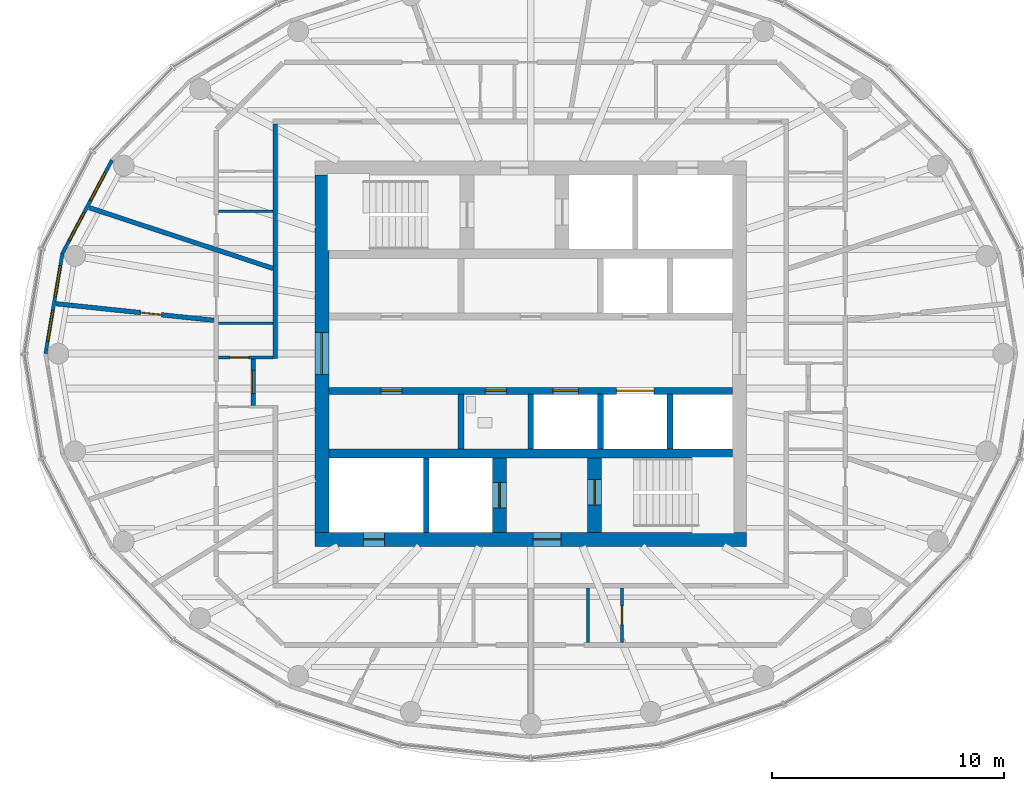
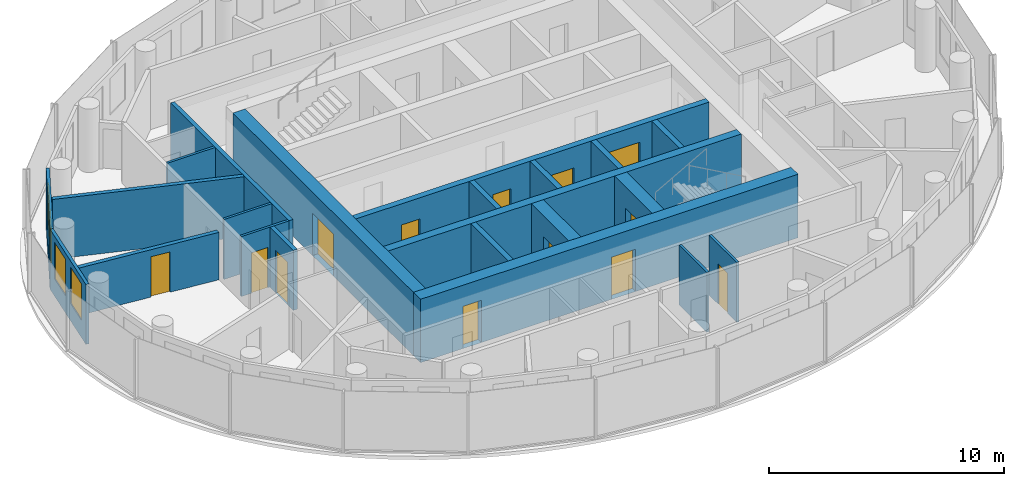
# One storey, part 6 of 12: 22 walls, 13 doors, 4 windows, 17 openings.
"""IFC4 building model written with IfcOpenShell, lengths in metres."""

from ifc_helpers import new_model, si_unit, direction, frame, frame_2d, origin, place, context, subcontext, project, spatial, rectangle, extrude, material, layer, layer_set, type_object, element, fill, save


model = new_model("IFC4")

# Units and contexts
model_context = context("Model", 3, precision=1e-05, world=origin(), true_north=direction((0.0, 1.0)))
body_context = subcontext(model_context, "Body", "Model", "MODEL_VIEW")
ifc_project = project(units=[si_unit("LENGTHUNIT", "METRE"), si_unit("AREAUNIT", "SQUARE_METRE"), si_unit("VOLUMEUNIT", "CUBIC_METRE"), si_unit("PLANEANGLEUNIT", "RADIAN"), si_unit("MASSUNIT", "GRAM", prefix="KILO")], contexts=[model_context])

# Site, building, storey
site_placement = place(None, origin())
site = spatial("IfcSite", under=ifc_project, at=site_placement, CompositionType="ELEMENT")
building_placement = place(site_placement, origin())
building = spatial("IfcBuilding", under=site, at=building_placement, Name="Hankou Lantern Tower", CompositionType="ELEMENT")
storey_placement = place(building_placement, frame((0.0, 0.0, 222.60009765625)))
storey = spatial("IfcBuildingStorey", under=building, at=storey_placement, Name="L60", CompositionType="ELEMENT", Elevation=222.60009765625)

# Wall, openings, doors
ifc_material_1 = material(Name="Concrete C60", Category="concrete")
ifc_layer_1 = layer(ifc_material_1, 0.60009765625)
ifc_layer_set_1 = layer_set([ifc_layer_1], Name="Concrete C60")
wall_type_1 = type_object("IfcWallType", Name="CW3 CORE WALL 600", PredefinedType="SHEAR", material=ifc_layer_set_1)
wall_1_placement = place(storey_placement, frame((9.300048828125, -8.0, 0.0), z_axis=(0.0, 0.0, 1.0), x_axis=(-1.0, 0.0, 0.0)))
wall_1 = element("IfcWall", 1, at=wall_1_placement, inside=storey, type_object=wall_type_1, Name="Core wall south L60", PredefinedType="SHEAR", context=body_context, shape_type="SweptSolid", body=[
    extrude(rectangle(XDim=18.60009765625, YDim=0.60009765625, at=frame_2d((9.300048828125, 0.0))), origin(), (0.0, 0.0, 1.0), 3.2998046875),
])
opening_1_placement = place(wall_1_placement, frame((8.0, 0.0, 0.0)))
opening_1 = element("IfcOpeningElement", 2, at=opening_1_placement, cuts=wall_1, Name="Opening D5", PredefinedType="OPENING", context=body_context, shape_type="SweptSolid", body=[
    extrude(rectangle(XDim=1.199951171875, YDim=2.199951171875, at=frame_2d((0.60009765625, 1.10009765625))), frame((0.0, 0.31005859375, 0.0), z_axis=(0.0, -1.0, 0.0), x_axis=(1.0, 0.0, 0.0)), (0.0, 0.0, 1.0), 0.6201171875),
])
opening_2_placement = place(wall_1_placement, frame((15.60009765625, 0.0, 0.0)))
opening_2 = element("IfcOpeningElement", 3, at=opening_2_placement, cuts=wall_1, Name="Opening D7", PredefinedType="OPENING", context=body_context, shape_type="SweptSolid", body=[
    extrude(rectangle(XDim=0.89990234375, YDim=2.199951171875, at=frame_2d((0.449951171875, 1.10009765625))), frame((0.0, 0.31005859375, 0.0), z_axis=(0.0, -1.0, 0.0), x_axis=(1.0, 0.0, 0.0)), (0.0, 0.0, 1.0), 0.6201171875),
])
ifc_material_2 = material(Name="Steel door leaf", Category="steel")
door_type_1 = type_object("IfcDoorType", Name="D5 STAIR LOBBY DOOR 1200X2200", OperationType="SINGLE_SWING_LEFT", PredefinedType="DOOR", material=ifc_material_2)
door_1_placement = place(opening_1_placement, origin())
door_1 = element("IfcDoor", 4, at=door_1_placement, inside=storey, type_object=door_type_1, Name="Stair B lobby door", OperationType="SINGLE_SWING_LEFT", OverallHeight=2.199951171875, OverallWidth=1.199951171875, PredefinedType="DOOR", context=body_context, shape_type="SweptSolid", body=[
    extrude(rectangle(XDim=1.199951171875, YDim=2.199951171875, at=frame_2d((0.60009765625, 1.10009765625))), frame((0.0, 0.02490234375, 0.0), z_axis=(0.0, -1.0, 0.0), x_axis=(1.0, 0.0, 0.0)), (0.0, 0.0, 1.0), 0.050048828125),
])
fill(opening_1, door_1)
ifc_material_3 = material(Name="Steel door leaf", Category="steel")
door_type_2 = type_object("IfcDoorType", Name="D7 RISER DOOR 900X2200", OperationType="SINGLE_SWING_LEFT", PredefinedType="DOOR", material=ifc_material_3)
door_2_placement = place(opening_2_placement, origin())
door_2 = element("IfcDoor", 5, at=door_2_placement, inside=storey, type_object=door_type_2, Name="Riser S1 door", OperationType="SINGLE_SWING_RIGHT", OverallHeight=2.199951171875, OverallWidth=0.89990234375, PredefinedType="DOOR", context=body_context, shape_type="SweptSolid", body=[
    extrude(rectangle(XDim=0.89990234375, YDim=2.199951171875, at=frame_2d((0.449951171875, 1.10009765625))), frame((0.0, 0.02490234375, 0.0), z_axis=(0.0, -1.0, 0.0), x_axis=(1.0, 0.0, 0.0)), (0.0, 0.0, 1.0), 0.050048828125),
])
fill(opening_2, door_2)

# Wall, opening, door
wall_2_placement = place(storey_placement, frame((-9.0, 7.699951171875, 0.0), z_axis=(0.0, 0.0, 1.0), x_axis=(0.0, -1.0, 0.0)))
wall_2 = element("IfcWall", 6, at=wall_2_placement, inside=storey, type_object=wall_type_1, Name="Core wall west L60", PredefinedType="SHEAR", context=body_context, shape_type="SweptSolid", body=[
    extrude(rectangle(XDim=15.39990234375, YDim=0.60009765625, at=frame_2d((7.699951171875, 0.0))), origin(), (0.0, 0.0, 1.0), 3.2998046875),
])
opening_3_placement = place(wall_2_placement, frame((6.800048828125, 0.0, 0.0)))
opening_3 = element("IfcOpeningElement", 7, at=opening_3_placement, cuts=wall_2, Name="Opening D6", PredefinedType="OPENING", context=body_context, shape_type="SweptSolid", body=[
    extrude(rectangle(XDim=1.800048828125, YDim=2.199951171875, at=frame_2d((0.89990234375, 1.10009765625))), frame((0.0, 0.31005859375, 0.0), z_axis=(0.0, -1.0, 0.0), x_axis=(1.0, 0.0, 0.0)), (0.0, 0.0, 1.0), 0.6201171875),
])
ifc_material_4 = material(Name="Steel door leaf", Category="steel")
door_type_3 = type_object("IfcDoorType", Name="D6 LIFT LOBBY DOOR 1800X2200", OperationType="DOUBLE_DOOR_DOUBLE_SWING", PredefinedType="DOOR", material=ifc_material_4)
door_3_placement = place(opening_3_placement, origin())
door_3 = element("IfcDoor", 8, at=door_3_placement, inside=storey, type_object=door_type_3, Name="Lift lobby west door", OperationType="DOUBLE_DOOR_DOUBLE_SWING", OverallHeight=2.199951171875, OverallWidth=1.800048828125, PredefinedType="DOOR", context=body_context, shape_type="SweptSolid", body=[
    extrude(rectangle(XDim=1.800048828125, YDim=2.199951171875, at=frame_2d((0.89990234375, 1.10009765625))), frame((0.0, 0.02490234375, 0.0), z_axis=(0.0, -1.0, 0.0), x_axis=(1.0, 0.0, 0.0)), (0.0, 0.0, 1.0), 0.050048828125),
])
fill(opening_3, door_3)

# Wall
ifc_material_5 = material(Name="Concrete C60", Category="concrete")
ifc_layer_2 = layer(ifc_material_5, 0.39990234375)
ifc_layer_set_2 = layer_set([ifc_layer_2], Name="Concrete C60")
wall_type_2 = type_object("IfcWallType", Name="CW4 CORE CROSS WALL 400", PredefinedType="SHEAR", material=ifc_layer_set_2)
wall_3_placement = place(storey_placement, frame((-8.699951171875, -4.300048828125, 0.0), z_axis=(0.0, 0.0, 1.0), x_axis=(1.0, 0.0, 0.0)))
element("IfcWall", 9, at=wall_3_placement, inside=storey, type_object=wall_type_2, Name="Core band wall south L60", PredefinedType="SHEAR", context=body_context, shape_type="SweptSolid", body=[
    extrude(rectangle(XDim=17.39990234375, YDim=0.39990234375, at=frame_2d((8.699951171875, 0.0))), origin(), (0.0, 0.0, 1.0), 3.2998046875),
])

# Wall, openings, doors
ifc_material_6 = material(Name="Concrete C60", Category="concrete")
ifc_layer_3 = layer(ifc_material_6, 0.300048828125)
ifc_layer_set_3 = layer_set([ifc_layer_3], Name="Concrete C60")
wall_type_3 = type_object("IfcWallType", Name="CW5 LIFT LOBBY WALL 300", PredefinedType="SHEAR", material=ifc_layer_set_3)
wall_4_placement = place(storey_placement, frame((-8.699951171875, -1.60009765625, 0.0), z_axis=(0.0, 0.0, 1.0), x_axis=(1.0, 0.0, 0.0)))
wall_4 = element("IfcWall", 10, at=wall_4_placement, inside=storey, type_object=wall_type_3, Name="Lift lobby wall south L60", PredefinedType="SHEAR", context=body_context, shape_type="SweptSolid", body=[
    extrude(rectangle(XDim=17.39990234375, YDim=0.300048828125, at=frame_2d((8.699951171875, 0.0))), origin(), (0.0, 0.0, 1.0), 3.2998046875),
])
opening_4_placement = place(wall_4_placement, frame((9.64990234375, 0.0, 0.0)))
opening_4 = element("IfcOpeningElement", 11, at=opening_4_placement, cuts=wall_4, Name="Opening LD1", PredefinedType="OPENING", context=body_context, shape_type="SweptSolid", body=[
    extrude(rectangle(XDim=1.10009765625, YDim=2.199951171875, at=frame_2d((0.550048828125, 1.10009765625))), frame((0.0, 0.159912109375, 0.0), z_axis=(0.0, -1.0, 0.0), x_axis=(1.0, 0.0, 0.0)), (0.0, 0.0, 1.0), 0.320068359375),
])
opening_5_placement = place(wall_4_placement, frame((12.39990234375, 0.0, 0.0)))
opening_5 = element("IfcOpeningElement", 12, at=opening_5_placement, cuts=wall_4, Name="Opening LD4", PredefinedType="OPENING", context=body_context, shape_type="SweptSolid", body=[
    extrude(rectangle(XDim=1.60009765625, YDim=2.39990234375, at=frame_2d((0.800048828125, 1.199951171875))), frame((0.0, 0.159912109375, 0.0), z_axis=(0.0, -1.0, 0.0), x_axis=(1.0, 0.0, 0.0)), (0.0, 0.0, 1.0), 0.320068359375),
])
opening_6_placement = place(wall_4_placement, frame((2.25, 0.0, 0.0)))
opening_6 = element("IfcOpeningElement", 13, at=opening_6_placement, cuts=wall_4, Name="Opening D30", PredefinedType="OPENING", context=body_context, shape_type="SweptSolid", body=[
    extrude(rectangle(XDim=0.89990234375, YDim=2.199951171875, at=frame_2d((0.449951171875, 1.10009765625))), frame((0.0, 0.159912109375, 0.0), z_axis=(0.0, -1.0, 0.0), x_axis=(1.0, 0.0, 0.0)), (0.0, 0.0, 1.0), 0.320068359375),
])
opening_7_placement = place(wall_4_placement, frame((6.75, 0.0, 0.0)))
opening_7 = element("IfcOpeningElement", 14, at=opening_7_placement, cuts=wall_4, Name="Opening D30", PredefinedType="OPENING", context=body_context, shape_type="SweptSolid", body=[
    extrude(rectangle(XDim=0.89990234375, YDim=2.199951171875, at=frame_2d((0.449951171875, 1.10009765625))), frame((0.0, 0.159912109375, 0.0), z_axis=(0.0, -1.0, 0.0), x_axis=(1.0, 0.0, 0.0)), (0.0, 0.0, 1.0), 0.320068359375),
])
ifc_material_7 = material(Name="Steel door leaf", Category="steel")
door_type_4 = type_object("IfcDoorType", Name="D30 CORE ROOM DOOR 900X2200", OperationType="SINGLE_SWING_LEFT", PredefinedType="DOOR", material=ifc_material_7)
door_4_placement = place(opening_6_placement, origin())
door_4 = element("IfcDoor", 15, at=door_4_placement, inside=storey, type_object=door_type_4, Name="Housekeeping and linen store door", OperationType="SINGLE_SWING_LEFT", OverallHeight=2.199951171875, OverallWidth=0.89990234375, PredefinedType="DOOR", context=body_context, shape_type="SweptSolid", body=[
    extrude(rectangle(XDim=0.89990234375, YDim=2.199951171875, at=frame_2d((0.449951171875, 1.10009765625))), frame((0.0, 0.02490234375, 0.0), z_axis=(0.0, -1.0, 0.0), x_axis=(1.0, 0.0, 0.0)), (0.0, 0.0, 1.0), 0.050048828125),
])
fill(opening_6, door_4)
door_5_placement = place(opening_7_placement, origin())
door_5 = element("IfcDoor", 16, at=door_5_placement, inside=storey, type_object=door_type_4, Name="Accessible staff WC door", OperationType="SINGLE_SWING_LEFT", OverallHeight=2.199951171875, OverallWidth=0.89990234375, PredefinedType="DOOR", context=body_context, shape_type="SweptSolid", body=[
    extrude(rectangle(XDim=0.89990234375, YDim=2.199951171875, at=frame_2d((0.449951171875, 1.10009765625))), frame((0.0, 0.02490234375, 0.0), z_axis=(0.0, -1.0, 0.0), x_axis=(1.0, 0.0, 0.0)), (0.0, 0.0, 1.0), 0.050048828125),
])
fill(opening_7, door_5)
ifc_material_8 = material(Name="Steel door leaf", Category="steel")
door_type_5 = type_object("IfcDoorType", Name="LD1 LIFT LANDING DOOR 1100X2200", OperationType="DOUBLE_DOOR_SLIDING", PredefinedType="DOOR", material=ifc_material_8)
door_6_placement = place(opening_4_placement, origin())
door_6 = element("IfcDoor", 17, at=door_6_placement, inside=storey, type_object=door_type_5, Name="Lift T2 landing door", OperationType="DOUBLE_DOOR_SLIDING", OverallHeight=2.199951171875, OverallWidth=1.10009765625, PredefinedType="DOOR", context=body_context, shape_type="SweptSolid", body=[
    extrude(rectangle(XDim=1.10009765625, YDim=2.199951171875, at=frame_2d((0.550048828125, 1.10009765625))), frame((0.0, 0.02490234375, 0.0), z_axis=(0.0, -1.0, 0.0), x_axis=(1.0, 0.0, 0.0)), (0.0, 0.0, 1.0), 0.050048828125),
])
fill(opening_4, door_6)
ifc_material_9 = material(Name="Steel door leaf", Category="steel")
door_type_6 = type_object("IfcDoorType", Name="LD4 SERVICE LIFT LANDING DOOR 1600X2400", OperationType="DOUBLE_DOOR_SLIDING", PredefinedType="DOOR", material=ifc_material_9)
door_7_placement = place(opening_5_placement, origin())
door_7 = element("IfcDoor", 18, at=door_7_placement, inside=storey, type_object=door_type_6, Name="Lift SV1 landing door", OperationType="DOUBLE_DOOR_SLIDING", OverallHeight=2.39990234375, OverallWidth=1.60009765625, PredefinedType="DOOR", context=body_context, shape_type="SweptSolid", body=[
    extrude(rectangle(XDim=1.60009765625, YDim=2.39990234375, at=frame_2d((0.800048828125, 1.199951171875))), frame((0.0, 0.02490234375, 0.0), z_axis=(0.0, -1.0, 0.0), x_axis=(1.0, 0.0, 0.0)), (0.0, 0.0, 1.0), 0.050048828125),
])
fill(opening_5, door_7)

# Wall, opening, door
ifc_material_10 = material(Name="Concrete C60", Category="concrete")
ifc_layer_4 = layer(ifc_material_10, 0.60009765625)
ifc_layer_set_4 = layer_set([ifc_layer_4], Name="Concrete C60")
wall_type_4 = type_object("IfcWallType", Name="CW6 STAIR AND SHAFT WALL 600", PredefinedType="SHEAR", material=ifc_layer_set_4)
wall_5_placement = place(storey_placement, frame((2.75, -7.699951171875, 0.0), z_axis=(0.0, 0.0, 1.0), x_axis=(0.0, 1.0, 0.0)))
wall_5 = element("IfcWall", 19, at=wall_5_placement, inside=storey, type_object=wall_type_4, Name="Stair wall L60", PredefinedType="SHEAR", context=body_context, shape_type="SweptSolid", body=[
    extrude(rectangle(XDim=3.199951171875, YDim=0.60009765625, at=frame_2d((1.60009765625, 0.0))), origin(), (0.0, 0.0, 1.0), 3.2998046875),
])
opening_8_placement = place(wall_5_placement, frame((1.175048828125, 0.0, 0.0)))
opening_8 = element("IfcOpeningElement", 20, at=opening_8_placement, cuts=wall_5, Name="Opening D4", PredefinedType="OPENING", context=body_context, shape_type="SweptSolid", body=[
    extrude(rectangle(XDim=1.10009765625, YDim=2.199951171875, at=frame_2d((0.550048828125, 1.10009765625))), frame((0.0, 0.31005859375, 0.0), z_axis=(0.0, -1.0, 0.0), x_axis=(1.0, 0.0, 0.0)), (0.0, 0.0, 1.0), 0.6201171875),
])
ifc_material_11 = material(Name="Steel door leaf", Category="steel")
door_type_7 = type_object("IfcDoorType", Name="D4 STAIR DOOR 1100X2200", OperationType="SINGLE_SWING_LEFT", PredefinedType="DOOR", material=ifc_material_11)
door_8_placement = place(opening_8_placement, origin())
door_8 = element("IfcDoor", 21, at=door_8_placement, inside=storey, type_object=door_type_7, Name="Stair B door", OperationType="SINGLE_SWING_RIGHT", OverallHeight=2.199951171875, OverallWidth=1.10009765625, PredefinedType="DOOR", context=body_context, shape_type="SweptSolid", body=[
    extrude(rectangle(XDim=1.10009765625, YDim=2.199951171875, at=frame_2d((0.550048828125, 1.10009765625))), frame((0.0, 0.02490234375, 0.0), z_axis=(0.0, -1.0, 0.0), x_axis=(1.0, 0.0, 0.0)), (0.0, 0.0, 1.0), 0.050048828125),
])
fill(opening_8, door_8)

wall_6_placement = place(storey_placement, frame((-1.35009765625, -7.699951171875, 0.0), z_axis=(0.0, 0.0, 1.0), x_axis=(0.0, 1.0, 0.0)))
wall_6 = element("IfcWall", 22, at=wall_6_placement, inside=storey, type_object=wall_type_4, Name="Firefighting lift shaft wall L60", PredefinedType="SHEAR", context=body_context, shape_type="SweptSolid", body=[
    extrude(rectangle(XDim=3.199951171875, YDim=0.60009765625, at=frame_2d((1.60009765625, 0.0))), origin(), (0.0, 0.0, 1.0), 3.2998046875),
])
opening_9_placement = place(wall_6_placement, frame((1.050048828125, 0.0, 0.0)))
opening_9 = element("IfcOpeningElement", 23, at=opening_9_placement, cuts=wall_6, Name="Opening LD2", PredefinedType="OPENING", context=body_context, shape_type="SweptSolid", body=[
    extrude(rectangle(XDim=1.10009765625, YDim=2.199951171875, at=frame_2d((0.550048828125, 1.10009765625))), frame((0.0, 0.31005859375, 0.0), z_axis=(0.0, -1.0, 0.0), x_axis=(1.0, 0.0, 0.0)), (0.0, 0.0, 1.0), 0.6201171875),
])
ifc_material_12 = material(Name="Steel door leaf", Category="steel")
door_type_8 = type_object("IfcDoorType", Name="LD2 FIREFIGHTING LIFT LANDING DOOR 1100X2200", OperationType="DOUBLE_DOOR_SLIDING", PredefinedType="DOOR", material=ifc_material_12)
door_9_placement = place(opening_9_placement, origin())
door_9 = element("IfcDoor", 24, at=door_9_placement, inside=storey, type_object=door_type_8, Name="Firefighting lift FL2 landing door", OperationType="DOUBLE_DOOR_SLIDING", OverallHeight=2.199951171875, OverallWidth=1.10009765625, PredefinedType="DOOR", context=body_context, shape_type="SweptSolid", body=[
    extrude(rectangle(XDim=1.10009765625, YDim=2.199951171875, at=frame_2d((0.550048828125, 1.10009765625))), frame((0.0, 0.02490234375, 0.0), z_axis=(0.0, -1.0, 0.0), x_axis=(1.0, 0.0, 0.0)), (0.0, 0.0, 1.0), 0.050048828125),
])
fill(opening_9, door_9)

# Wall, openings, windows
ifc_material_13 = material(Name="Aluminium spandrel panel on steel studs", Category="steel")
ifc_layer_5 = layer(ifc_material_13, 0.14990234375)
ifc_layer_set_5 = layer_set([ifc_layer_5], Name="Aluminium spandrel panel on steel studs")
wall_type_5 = type_object("IfcWallType", Name="EW1 INNER SKIN WALL 150", PredefinedType="ELEMENTEDWALL", material=ifc_layer_set_5)
wall_7_placement = place(storey_placement, frame((-18.03955078125, 8.33203125, 0.0), z_axis=(0.0, 0.0, 1.0), x_axis=(-0.469256152955, -0.883062094597, 0.0)))
wall_7 = element("IfcWall", 25, at=wall_7_placement, inside=storey, type_object=wall_type_5, Name="Inner skin R11-R12 L60", PredefinedType="ELEMENTEDWALL", context=body_context, shape_type="SweptSolid", body=[
    extrude(rectangle(XDim=4.539306640625, YDim=0.14990234375, at=frame_2d((2.26953125, 0.0))), origin(), (0.0, 0.0, 1.0), 3.119873046875),
])
opening_10_placement = place(wall_7_placement, frame((0.61962890625, 0.0, 0.89990234375)))
opening_10 = element("IfcOpeningElement", 26, at=opening_10_placement, cuts=wall_7, Name="Opening W4", PredefinedType="OPENING", context=body_context, shape_type="SweptSolid", body=[
    extrude(rectangle(XDim=1.35009765625, YDim=1.89990234375, at=frame_2d((0.675048828125, 0.949951171875))), frame((0.0, 0.0849609375, 0.0), z_axis=(0.0, -1.0, 0.0), x_axis=(1.0, 0.0, 0.0)), (0.0, 0.0, 1.0), 0.169921875),
])
opening_11_placement = place(wall_7_placement, frame((2.569580078125, 0.0, 0.89990234375)))
opening_11 = element("IfcOpeningElement", 27, at=opening_11_placement, cuts=wall_7, Name="Opening W4", PredefinedType="OPENING", context=body_context, shape_type="SweptSolid", body=[
    extrude(rectangle(XDim=1.35009765625, YDim=1.89990234375, at=frame_2d((0.675048828125, 0.949951171875))), frame((0.0, 0.0849609375, 0.0), z_axis=(0.0, -1.0, 0.0), x_axis=(1.0, 0.0, 0.0)), (0.0, 0.0, 1.0), 0.169921875),
])
ifc_material_14 = material(Name="Aluminium framed double glazed window", Category="aluminium")
window_type = type_object("IfcWindowType", Name="W4 SUITE WINDOW 1350X1900", PartitioningType="DOUBLE_PANEL_VERTICAL", PredefinedType="WINDOW", material=ifc_material_14)
window_1_placement = place(opening_10_placement, origin())
window_1 = element("IfcWindow", 28, at=window_1_placement, inside=storey, type_object=window_type, Name="Window R11.1 L60", OverallHeight=1.89990234375, OverallWidth=1.35009765625, PartitioningType="SINGLE_PANEL", PredefinedType="WINDOW", context=body_context, shape_type="SweptSolid", body=[
    extrude(rectangle(XDim=1.35009765625, YDim=1.89990234375, at=frame_2d((0.675048828125, 0.949951171875))), frame((0.0, 0.030029296875, 0.0), z_axis=(0.0, -1.0, 0.0), x_axis=(1.0, 0.0, 0.0)), (0.0, 0.0, 1.0), 0.06005859375),
])
fill(opening_10, window_1)
window_2_placement = place(opening_11_placement, origin())
window_2 = element("IfcWindow", 29, at=window_2_placement, inside=storey, type_object=window_type, Name="Window R11.2 L60", OverallHeight=1.89990234375, OverallWidth=1.35009765625, PartitioningType="SINGLE_PANEL", PredefinedType="WINDOW", context=body_context, shape_type="SweptSolid", body=[
    extrude(rectangle(XDim=1.35009765625, YDim=1.89990234375, at=frame_2d((0.675048828125, 0.949951171875))), frame((0.0, 0.030029296875, 0.0), z_axis=(0.0, -1.0, 0.0), x_axis=(1.0, 0.0, 0.0)), (0.0, 0.0, 1.0), 0.06005859375),
])
fill(opening_11, window_2)

wall_8_placement = place(storey_placement, frame((-20.169677734375, 4.323486328125, 0.0), z_axis=(0.0, 0.0, 1.0), x_axis=(-0.166538513568, -0.986034950445, 0.0)))
wall_8 = element("IfcWall", 30, at=wall_8_placement, inside=storey, type_object=wall_type_5, Name="Inner skin R12-R13 L60", PredefinedType="ELEMENTEDWALL", context=body_context, shape_type="SweptSolid", body=[
    extrude(rectangle(XDim=4.384765625, YDim=0.14990234375, at=frame_2d((2.1923828125, 0.0))), origin(), (0.0, 0.0, 1.0), 3.119873046875),
])
opening_12_placement = place(wall_8_placement, frame((0.54248046875, 0.0, 0.89990234375)))
opening_12 = element("IfcOpeningElement", 31, at=opening_12_placement, cuts=wall_8, Name="Opening W4", PredefinedType="OPENING", context=body_context, shape_type="SweptSolid", body=[
    extrude(rectangle(XDim=1.35009765625, YDim=1.89990234375, at=frame_2d((0.675048828125, 0.949951171875))), frame((0.0, 0.0849609375, 0.0), z_axis=(0.0, -1.0, 0.0), x_axis=(1.0, 0.0, 0.0)), (0.0, 0.0, 1.0), 0.169921875),
])
opening_13_placement = place(wall_8_placement, frame((2.492431640625, 0.0, 0.89990234375)))
opening_13 = element("IfcOpeningElement", 32, at=opening_13_placement, cuts=wall_8, Name="Opening W4", PredefinedType="OPENING", context=body_context, shape_type="SweptSolid", body=[
    extrude(rectangle(XDim=1.35009765625, YDim=1.89990234375, at=frame_2d((0.675048828125, 0.949951171875))), frame((0.0, 0.0849609375, 0.0), z_axis=(0.0, -1.0, 0.0), x_axis=(1.0, 0.0, 0.0)), (0.0, 0.0, 1.0), 0.169921875),
])
window_3_placement = place(opening_12_placement, origin())
window_3 = element("IfcWindow", 33, at=window_3_placement, inside=storey, type_object=window_type, Name="Window R12.1 L60", OverallHeight=1.89990234375, OverallWidth=1.35009765625, PartitioningType="SINGLE_PANEL", PredefinedType="WINDOW", context=body_context, shape_type="SweptSolid", body=[
    extrude(rectangle(XDim=1.35009765625, YDim=1.89990234375, at=frame_2d((0.675048828125, 0.949951171875))), frame((0.0, 0.030029296875, 0.0), z_axis=(0.0, -1.0, 0.0), x_axis=(1.0, 0.0, 0.0)), (0.0, 0.0, 1.0), 0.06005859375),
])
fill(opening_12, window_3)
window_4_placement = place(opening_13_placement, origin())
window_4 = element("IfcWindow", 34, at=window_4_placement, inside=storey, type_object=window_type, Name="Window R12.2 L60", OverallHeight=1.89990234375, OverallWidth=1.35009765625, PartitioningType="SINGLE_PANEL", PredefinedType="WINDOW", context=body_context, shape_type="SweptSolid", body=[
    extrude(rectangle(XDim=1.35009765625, YDim=1.89990234375, at=frame_2d((0.675048828125, 0.949951171875))), frame((0.0, 0.030029296875, 0.0), z_axis=(0.0, -1.0, 0.0), x_axis=(1.0, 0.0, 0.0)), (0.0, 0.0, 1.0), 0.06005859375),
])
fill(opening_13, window_4)

# Walls
ifc_material_15 = material(Name="Masonry lightweight concrete block", Category="masonry")
ifc_layer_6 = layer(ifc_material_15, 0.199951171875)
ifc_layer_set_6 = layer_set([ifc_layer_6], Name="Masonry lightweight concrete block")
wall_type_6 = type_object("IfcWallType", Name="IW1 GUEST ROOM PARTY WALL 200", PredefinedType="PARTITIONING", material=ifc_layer_set_6)
wall_9_placement = place(storey_placement, frame((-11.10009765625, 3.668701171875, 0.0), z_axis=(0.0, 0.0, 1.0), x_axis=(-0.949476668397, 0.313837627079, 0.0)))
element("IfcWall", 35, at=wall_9_placement, inside=storey, type_object=wall_type_6, Name="Party wall R11-R12", PredefinedType="PARTITIONING", context=body_context, shape_type="SweptSolid", body=[
    extrude(rectangle(XDim=8.338623046875, YDim=0.199951171875, at=frame_2d((4.16943359375, 0.0))), origin(), (0.0, 0.0, 1.0), 3.119873046875),
])
ifc_material_16 = material(Name="Masonry lightweight concrete block", Category="masonry")
ifc_layer_7 = layer(ifc_material_16, 0.199951171875)
ifc_layer_set_7 = layer_set([ifc_layer_7], Name="Masonry lightweight concrete block")
wall_type_7 = type_object("IfcWallType", Name="IW2 CORRIDOR WALL 200", PredefinedType="PARTITIONING", material=ifc_layer_set_7)
wall_10_placement = place(storey_placement, frame((-11.0, 9.89990234375, 0.0), z_axis=(0.0, 0.0, 1.0), x_axis=(0.0, -1.0, 0.0)))
element("IfcWall", 36, at=wall_10_placement, inside=storey, type_object=wall_type_7, Name="Corridor wall west", PredefinedType="PARTITIONING", context=body_context, shape_type="SweptSolid", body=[
    extrude(rectangle(XDim=10.1142578125, YDim=0.199951171875, at=frame_2d((5.05712890625, 0.0))), origin(), (0.0, 0.0, 1.0), 3.119873046875),
])

# Wall, opening, door
wall_11_placement = place(storey_placement, frame((-11.949951171875, -0.224365234375, 0.0), z_axis=(0.0, 0.0, 1.0), x_axis=(0.0, -1.0, 0.0)))
wall_11 = element("IfcWall", 37, at=wall_11_placement, inside=storey, type_object=wall_type_7, Name="Suite entrance recess wall 6003", PredefinedType="PARTITIONING", context=body_context, shape_type="SweptSolid", body=[
    extrude(rectangle(XDim=2.0, YDim=0.199951171875, at=frame_2d((1.0, 0.0))), origin(), (0.0, 0.0, 1.0), 3.119873046875),
])
opening_14_placement = place(wall_11_placement, frame((0.5, 0.0, 0.0)))
opening_14 = element("IfcOpeningElement", 38, at=opening_14_placement, cuts=wall_11, Name="Opening D2", PredefinedType="OPENING", context=body_context, shape_type="SweptSolid", body=[
    extrude(rectangle(XDim=1.0, YDim=2.199951171875, at=frame_2d((0.5, 1.10009765625))), frame((0.0, 0.10986328125, 0.0), z_axis=(0.0, -1.0, 0.0), x_axis=(1.0, 0.0, 0.0)), (0.0, 0.0, 1.0), 0.219970703125),
])
ifc_material_17 = material(Name="Steel door leaf", Category="steel")
door_type_9 = type_object("IfcDoorType", Name="D2 SUITE DOOR 1000X2200", OperationType="SINGLE_SWING_LEFT", PredefinedType="DOOR", material=ifc_material_17)
door_10_placement = place(opening_14_placement, origin())
door_10 = element("IfcDoor", 39, at=door_10_placement, inside=storey, type_object=door_type_9, Name="Suite door 6003", OperationType="SINGLE_SWING_LEFT", OverallHeight=2.199951171875, OverallWidth=1.0, PredefinedType="DOOR", context=body_context, shape_type="SweptSolid", body=[
    extrude(rectangle(XDim=1.0, YDim=2.199951171875, at=frame_2d((0.5, 1.10009765625))), frame((0.0, 0.02490234375, 0.0), z_axis=(0.0, -1.0, 0.0), x_axis=(1.0, 0.0, 0.0)), (0.0, 0.0, 1.0), 0.050048828125),
])
fill(opening_14, door_10)

# Walls
ifc_material_18 = material(Name="Masonry lightweight concrete block", Category="masonry")
ifc_layer_8 = layer(ifc_material_18, 0.1201171875)
ifc_layer_set_8 = layer_set([ifc_layer_8], Name="Masonry lightweight concrete block")
wall_type_8 = type_object("IfcWallType", Name="IW3 BATHROOM WALL 120", PredefinedType="PARTITIONING", material=ifc_layer_set_8)
for number, where, z_axis, x_axis, name in (
    (40, (-11.10009765625, 6.13525390625, 0.0), (0.0, 0.0, 1.0), (-1.0, 0.0, 0.0), "Box wall 6002 4"),
    (41, (-11.10009765625, 1.3056640625, 0.0), (0.0, 0.0, 1.0), (-1.0, 0.0, 0.0), "Box wall 6003 1"),
):
    element("IfcWall", number, at=place(storey_placement, frame(where, z_axis=z_axis, x_axis=x_axis)), inside=storey, type_object=wall_type_8, Name=name, PredefinedType="PARTITIONING", context=body_context, shape_type="SweptSolid", body=[
        extrude(rectangle(XDim=2.349853515625, YDim=0.1201171875, at=frame_2d((1.1748046875, 0.0))), origin(), (0.0, 0.0, 1.0), 3.119873046875),
    ])

# Wall, opening, door
wall_12_placement = place(storey_placement, frame((-11.10009765625, -0.164306640625, 0.0), z_axis=(0.0, 0.0, 1.0), x_axis=(-1.0, 0.0, 0.0)))
wall_12 = element("IfcWall", 42, at=wall_12_placement, inside=storey, type_object=wall_type_8, Name="Box wall 6003 2", PredefinedType="PARTITIONING", context=body_context, shape_type="SweptSolid", body=[
    extrude(rectangle(XDim=2.349853515625, YDim=0.1201171875, at=frame_2d((1.1748046875, 0.0))), origin(), (0.0, 0.0, 1.0), 3.119873046875),
])
opening_15_placement = place(wall_12_placement, frame((1.050048828125, 0.0, 0.0)))
opening_15 = element("IfcOpeningElement", 43, at=opening_15_placement, cuts=wall_12, Name="Opening D3", PredefinedType="OPENING", context=body_context, shape_type="SweptSolid", body=[
    extrude(rectangle(XDim=0.800048828125, YDim=2.10009765625, at=frame_2d((0.39990234375, 1.050048828125))), frame((0.0, 0.070068359375, 0.0), z_axis=(0.0, -1.0, 0.0), x_axis=(1.0, 0.0, 0.0)), (0.0, 0.0, 1.0), 0.14013671875),
])
ifc_material_19 = material(Name="Timber door leaf", Category="wood")
door_type_10 = type_object("IfcDoorType", Name="D3 BATHROOM DOOR 800X2100", OperationType="SINGLE_SWING_LEFT", PredefinedType="DOOR", material=ifc_material_19)
door_11_placement = place(opening_15_placement, origin())
door_11 = element("IfcDoor", 44, at=door_11_placement, inside=storey, type_object=door_type_10, Name="Family suite 6003 guest WC door", OperationType="SINGLE_SWING_LEFT", OverallHeight=2.10009765625, OverallWidth=0.800048828125, PredefinedType="DOOR", context=body_context, shape_type="SweptSolid", body=[
    extrude(rectangle(XDim=0.800048828125, YDim=2.10009765625, at=frame_2d((0.39990234375, 1.050048828125))), frame((0.0, 0.02490234375, 0.0), z_axis=(0.0, -1.0, 0.0), x_axis=(1.0, 0.0, 0.0)), (0.0, 0.0, 1.0), 0.050048828125),
])
fill(opening_15, door_11)

# Wall
wall_13_placement = place(storey_placement, frame((2.4609375, -10.10009765625, 0.0), z_axis=(0.0, 0.0, 1.0), x_axis=(0.0, -1.0, 0.0)))
element("IfcWall", 45, at=wall_13_placement, inside=storey, type_object=wall_type_8, Name="Box wall 6005 1", PredefinedType="PARTITIONING", context=body_context, shape_type="SweptSolid", body=[
    extrude(rectangle(XDim=2.349853515625, YDim=0.1201171875, at=frame_2d((1.1748046875, 0.0))), origin(), (0.0, 0.0, 1.0), 3.119873046875),
])

# Wall, opening, door
wall_14_placement = place(storey_placement, frame((3.930908203125, -10.10009765625, 0.0), z_axis=(0.0, 0.0, 1.0), x_axis=(0.0, -1.0, 0.0)))
wall_14 = element("IfcWall", 46, at=wall_14_placement, inside=storey, type_object=wall_type_8, Name="Box wall 6005 2", PredefinedType="PARTITIONING", context=body_context, shape_type="SweptSolid", body=[
    extrude(rectangle(XDim=2.349853515625, YDim=0.1201171875, at=frame_2d((1.1748046875, 0.0))), origin(), (0.0, 0.0, 1.0), 3.119873046875),
])
opening_16_placement = place(wall_14_placement, frame((0.77001953125, 0.0, 0.0)))
opening_16 = element("IfcOpeningElement", 47, at=opening_16_placement, cuts=wall_14, Name="Opening D3", PredefinedType="OPENING", context=body_context, shape_type="SweptSolid", body=[
    extrude(rectangle(XDim=0.800048828125, YDim=2.10009765625, at=frame_2d((0.39990234375, 1.050048828125))), frame((0.0, 0.070068359375, 0.0), z_axis=(0.0, -1.0, 0.0), x_axis=(1.0, 0.0, 0.0)), (0.0, 0.0, 1.0), 0.14013671875),
])
door_12_placement = place(opening_16_placement, origin())
door_12 = element("IfcDoor", 48, at=door_12_placement, inside=storey, type_object=door_type_10, Name="Suite 6005 guest WC door", OperationType="SINGLE_SWING_LEFT", OverallHeight=2.10009765625, OverallWidth=0.800048828125, PredefinedType="DOOR", context=body_context, shape_type="SweptSolid", body=[
    extrude(rectangle(XDim=0.800048828125, YDim=2.10009765625, at=frame_2d((0.39990234375, 1.050048828125))), frame((0.0, 0.02490234375, 0.0), z_axis=(0.0, -1.0, 0.0), x_axis=(1.0, 0.0, 0.0)), (0.0, 0.0, 1.0), 0.050048828125),
])
fill(opening_16, door_12)

ifc_material_20 = material(Name="Masonry lightweight concrete block", Category="masonry")
ifc_layer_9 = layer(ifc_material_20, 0.199951171875)
ifc_layer_set_9 = layer_set([ifc_layer_9], Name="Masonry lightweight concrete block")
wall_type_9 = type_object("IfcWallType", Name="IW6 SUITE PARTITION 200", PredefinedType="PARTITIONING", material=ifc_layer_set_9)
wall_15_placement = place(storey_placement, frame((-13.64990234375, 1.433837890625, 0.0), z_axis=(0.0, 0.0, 1.0), x_axis=(-0.994526954268, 0.10448031984, 0.0)))
wall_15 = element("IfcWall", 49, at=wall_15_placement, inside=storey, type_object=wall_type_9, Name="Suite partition R12-R13", PredefinedType="PARTITIONING", context=body_context, shape_type="SweptSolid", body=[
    extrude(rectangle(XDim=6.837158203125, YDim=0.199951171875, at=frame_2d((3.41845703125, 0.0))), origin(), (0.0, 0.0, 1.0), 2.469970703125),
])
opening_17_placement = place(wall_15_placement, frame((2.27001953125, 0.0, 0.0)))
opening_17 = element("IfcOpeningElement", 50, at=opening_17_placement, cuts=wall_15, Name="Opening D27", PredefinedType="OPENING", context=body_context, shape_type="SweptSolid", body=[
    extrude(rectangle(XDim=0.89990234375, YDim=2.10009765625, at=frame_2d((0.449951171875, 1.050048828125))), frame((0.0, 0.10986328125, 0.0), z_axis=(0.0, -1.0, 0.0), x_axis=(1.0, 0.0, 0.0)), (0.0, 0.0, 1.0), 0.219970703125),
])
ifc_material_21 = material(Name="Timber door leaf", Category="wood")
door_type_11 = type_object("IfcDoorType", Name="D27 INTERNAL DOOR 900X2100", OperationType="SINGLE_SWING_LEFT", PredefinedType="DOOR", material=ifc_material_21)
door_13_placement = place(opening_17_placement, origin())
door_13 = element("IfcDoor", 51, at=door_13_placement, inside=storey, type_object=door_type_11, Name="Family suite 6003 bedroom door", OperationType="SINGLE_SWING_LEFT", OverallHeight=2.10009765625, OverallWidth=0.89990234375, PredefinedType="DOOR", context=body_context, shape_type="SweptSolid", body=[
    extrude(rectangle(XDim=0.89990234375, YDim=2.10009765625, at=frame_2d((0.449951171875, 1.050048828125))), frame((0.0, 0.02490234375, 0.0), z_axis=(0.0, -1.0, 0.0), x_axis=(1.0, 0.0, 0.0)), (0.0, 0.0, 1.0), 0.050048828125),
])
fill(opening_17, door_13)

# Walls
ifc_material_22 = material(Name="Masonry autoclaved aerated concrete block", Category="masonry")
ifc_layer_10 = layer(ifc_material_22, 0.25)
ifc_layer_set_10 = layer_set([ifc_layer_10], Name="Masonry autoclaved aerated concrete block")
wall_type_10 = type_object("IfcWallType", Name="SW1 SHAFT BLOCK WALL 250", PredefinedType="PARTITIONING", material=ifc_layer_set_10)
wall_16_placement = place(storey_placement, frame((-4.5, -7.699951171875, 0.0), z_axis=(0.0, 0.0, 1.0), x_axis=(0.0, 1.0, 0.0)))
element("IfcWall", 52, at=wall_16_placement, inside=storey, type_object=wall_type_10, Name="Riser wall L60", PredefinedType="PARTITIONING", context=body_context, shape_type="SweptSolid", body=[
    extrude(rectangle(XDim=3.199951171875, YDim=0.25, at=frame_2d((1.60009765625, 0.0))), origin(), (0.0, 0.0, 1.0), 3.2998046875),
])
for number, where, z_axis, x_axis, name in (
    (53, (-3.0, -4.10009765625, 0.0), (0.0, 0.0, 1.0), (0.0, 1.0, 0.0), "Lift shaft wall L60"),
    (54, (0.0, -4.10009765625, 0.0), (0.0, 0.0, 1.0), (0.0, 1.0, 0.0), "Lift shaft wall L60"),
    (55, (3.0, -4.10009765625, 0.0), (0.0, 0.0, 1.0), (0.0, 1.0, 0.0), "Lift shaft wall L60"),
    (56, (6.0, -4.10009765625, 0.0), (0.0, 0.0, 1.0), (0.0, 1.0, 0.0), "Lift shaft wall L60"),
):
    element("IfcWall", number, at=place(storey_placement, frame(where, z_axis=z_axis, x_axis=x_axis)), inside=storey, type_object=wall_type_10, Name=name, PredefinedType="PARTITIONING", context=body_context, shape_type="SweptSolid", body=[
        extrude(rectangle(XDim=2.35009765625, YDim=0.25, at=frame_2d((1.175048828125, 0.0))), origin(), (0.0, 0.0, 1.0), 3.2998046875),
    ])

save(model, "model.ifc")
